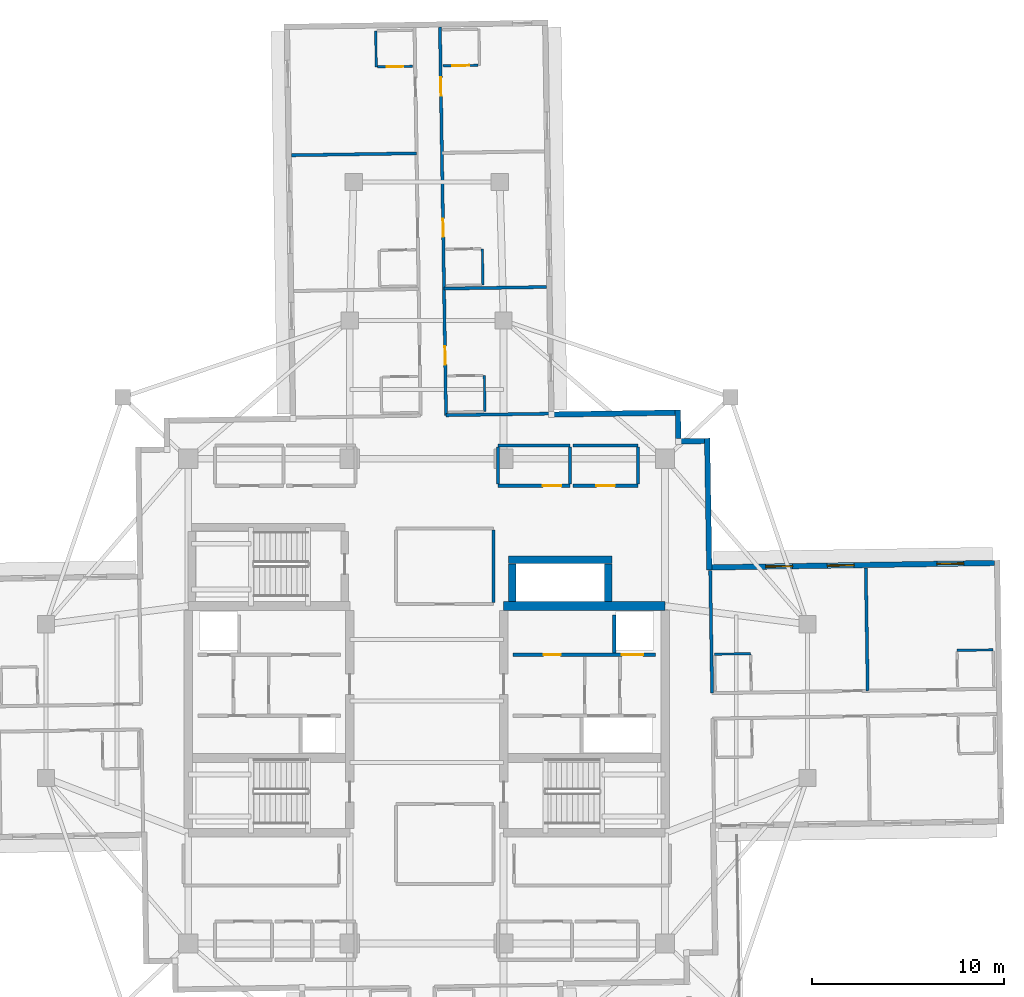
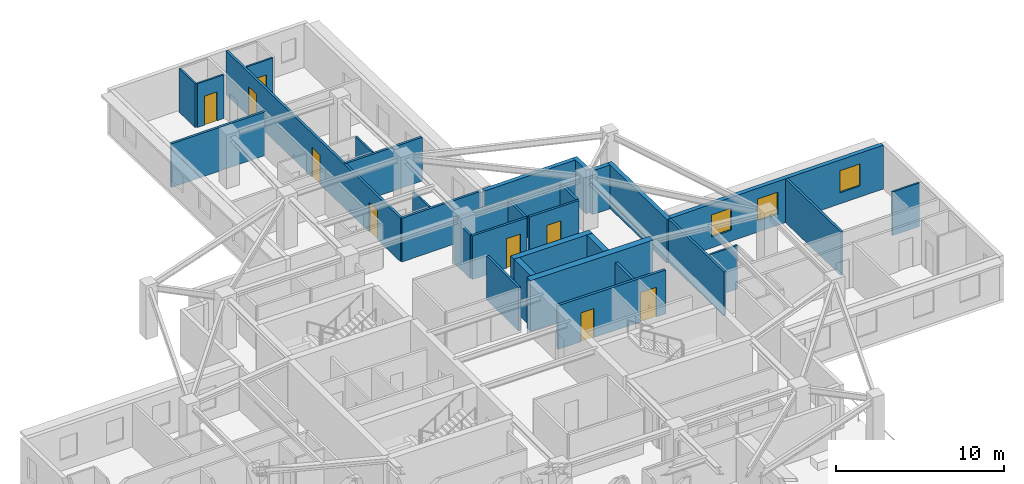
# One storey, part 8 of 13: 32 walls, 9 doors, 3 windows, 12 openings.
"""IFC4 building model written with IfcOpenShell, lengths in metres."""

from ifc_helpers import new_model, si_unit, direction, frame, frame_2d, origin, place, context, subcontext, project, spatial, rectangle, extrude, material, layer, layer_set, type_object, element, fill, save


model = new_model("IFC4")

# Units and contexts
model_context = context("Model", 3, precision=1e-05, world=origin(), true_north=direction((0.0, 1.0)))
body_context = subcontext(model_context, "Body", "Model", "MODEL_VIEW")
ifc_project = project(units=[si_unit("LENGTHUNIT", "METRE"), si_unit("AREAUNIT", "SQUARE_METRE"), si_unit("VOLUMEUNIT", "CUBIC_METRE"), si_unit("PLANEANGLEUNIT", "RADIAN"), si_unit("MASSUNIT", "GRAM", prefix="KILO")], contexts=[model_context])

# Site, building, storey
site_placement = place(None, origin())
site = spatial("IfcSite", under=ifc_project, at=site_placement, CompositionType="ELEMENT")
building_placement = place(site_placement, origin())
building = spatial("IfcBuilding", under=site, at=building_placement, Name="Qingluan Cross Belvedere", CompositionType="ELEMENT")
storey_placement = place(building_placement, frame((0.0, 0.0, 220.800048828125)))
storey = spatial("IfcBuildingStorey", under=building, at=storey_placement, Name="L55", CompositionType="ELEMENT", Elevation=220.800048828125)

# Walls
ifc_material_1 = material(Name="Concrete C50", Category="concrete")
ifc_layer_1 = layer(ifc_material_1, 0.449951171875, Name="CoreShearWall_450")
ifc_layer_set_1 = layer_set([ifc_layer_1], Name="Concrete C50")
wall_type_1 = type_object("IfcWallType", Name="CoreShearWall_450", PredefinedType="SHEAR", material=ifc_layer_set_1)
wall_1_placement = place(storey_placement, frame((4.0, 4.949951171875, 0.0), z_axis=(0.0, 0.0, 1.0), x_axis=(1.0, 0.0, 0.0)))
element("IfcWall", 1, at=wall_1_placement, inside=storey, type_object=wall_type_1, Name="Split core E shear wall L55-N", PredefinedType="SHEAR", context=body_context, shape_type="SweptSolid", body=[
    extrude(rectangle(XDim=8.39990234375, YDim=0.449951171875, at=frame_2d((4.199951171875, 0.0))), origin(), (0.0, 0.0, 1.0), 3.699951171875),
])
wall_2_placement = place(storey_placement, frame((4.449951171875, 5.179931640625, 0.0), z_axis=(0.0, 0.0, 1.0), x_axis=(0.0, 1.0, 0.0)))
element("IfcWall", 2, at=wall_2_placement, inside=storey, type_object=wall_type_1, Name="Express shuttle core wall L55-W", PredefinedType="SHEAR", context=body_context, shape_type="SweptSolid", body=[
    extrude(rectangle(XDim=1.9599609375, YDim=0.39990234375, at=frame_2d((0.97998046875, 0.0))), origin(), (0.0, 0.0, 1.0), 3.699951171875),
])
wall_3_placement = place(storey_placement, frame((4.25, 7.35009765625, 0.0), z_axis=(0.0, 0.0, 1.0), x_axis=(1.0, 0.0, 0.0)))
element("IfcWall", 3, at=wall_3_placement, inside=storey, type_object=wall_type_1, Name="Express shuttle core wall L55-N", PredefinedType="SHEAR", context=body_context, shape_type="SweptSolid", body=[
    extrude(rectangle(XDim=5.39990234375, YDim=0.39990234375, at=frame_2d((2.699951171875, 0.0))), origin(), (0.0, 0.0, 1.0), 3.699951171875),
])
wall_4_placement = place(storey_placement, frame((9.449951171875, 5.179931640625, 0.0), z_axis=(0.0, 0.0, 1.0), x_axis=(0.0, 1.0, 0.0)))
element("IfcWall", 4, at=wall_4_placement, inside=storey, type_object=wall_type_1, Name="Express shuttle core wall L55-E", PredefinedType="SHEAR", context=body_context, shape_type="SweptSolid", body=[
    extrude(rectangle(XDim=1.9599609375, YDim=0.39990234375, at=frame_2d((0.97998046875, 0.0))), origin(), (0.0, 0.0, 1.0), 3.699951171875),
])

# Wall, opening, door
ifc_material_2 = material(Name="Gypsum plasterboard on steel stud acoustic partition", Category="steel")
ifc_layer_2 = layer(ifc_material_2, 0.159912109375, Name="CorridorPartition_160")
ifc_layer_set_2 = layer_set([ifc_layer_2], Name="Gypsum plasterboard on steel stud acoustic partition")
wall_type_2 = type_object("IfcWallType", Name="CorridorPartition_160", PredefinedType="PARTITIONING", material=ifc_layer_set_2)
wall_5_placement = place(storey_placement, frame((3.699951171875, 11.199951171875, 0.0), z_axis=(0.0, 0.0, 1.0), x_axis=(1.0, 0.0, 0.0)))
wall_5 = element("IfcWall", 5, at=wall_5_placement, inside=storey, type_object=wall_type_2, Name="Partition L55:q_ne1:S", PredefinedType="PARTITIONING", context=body_context, shape_type="SweptSolid", body=[
    extrude(rectangle(XDim=3.75, YDim=0.159912109375, at=frame_2d((1.875, 0.0))), origin(), (0.0, 0.0, 1.0), 3.169921875),
])
opening_1_placement = place(wall_5_placement, frame((2.344970703125, 0.0, 0.0)))
opening_1 = element("IfcOpeningElement", 6, at=opening_1_placement, cuts=wall_5, Name="Opening GD-10", PredefinedType="OPENING", context=body_context, shape_type="SweptSolid", body=[
    extrude(rectangle(XDim=0.9599609375, YDim=2.14990234375, at=frame_2d((0.47998046875, 1.074951171875))), frame((0.0, 0.08984375, 0.0), z_axis=(0.0, -1.0, 0.0), x_axis=(1.0, 0.0, 0.0)), (0.0, 0.0, 1.0), 0.179931640625),
])
ifc_material_3 = material(Name="Timber oak fire-rated acoustic guestroom door", Category="wood")
door_type_1 = type_object("IfcDoorType", Name="GuestEntryDoor_FD60", OperationType="NOTDEFINED", PredefinedType="DOOR", material=ifc_material_3)
door_1_placement = place(opening_1_placement, origin())
door_1 = element("IfcDoor", 7, at=door_1_placement, inside=storey, type_object=door_type_1, Name="Sky yoga pavilion L55 door", OperationType="SINGLE_SWING_RIGHT", OverallHeight=2.14990234375, OverallWidth=0.9599609375, PredefinedType="DOOR", context=body_context, shape_type="SweptSolid", body=[
    extrude(rectangle(XDim=0.9599609375, YDim=2.14990234375, at=frame_2d((0.47998046875, 1.074951171875))), frame((0.0, 0.02490234375, 0.0), z_axis=(0.0, -1.0, 0.0), x_axis=(1.0, 0.0, 0.0)), (0.0, 0.0, 1.0), 0.050048828125),
])
fill(opening_1, door_1)

# Walls
wall_6_placement = place(storey_placement, frame((3.699951171875, 13.300048828125, 0.0), z_axis=(0.0, 0.0, 1.0), x_axis=(1.0, 0.0, 0.0)))
element("IfcWall", 8, at=wall_6_placement, inside=storey, type_object=wall_type_2, Name="Partition L55:q_ne1:N", PredefinedType="PARTITIONING", context=body_context, shape_type="SweptSolid", body=[
    extrude(rectangle(XDim=3.75, YDim=0.159912109375, at=frame_2d((1.875, 0.0))), origin(), (0.0, 0.0, 1.0), 3.169921875),
])
for number, where, z_axis, x_axis, name in (
    (9, (3.699951171875, 11.284912109375, 0.0), (0.0, 0.0, 1.0), (0.0, 1.0, 0.0), "Partition L55:q_ne1:W"),
    (10, (7.449951171875, 11.284912109375, 0.0), (0.0, 0.0, 1.0), (0.0, 1.0, 0.0), "Partition L55:q_ne1:E"),
):
    element("IfcWall", number, at=place(storey_placement, frame(where, z_axis=z_axis, x_axis=x_axis)), inside=storey, type_object=wall_type_2, Name=name, PredefinedType="PARTITIONING", context=body_context, shape_type="SweptSolid", body=[
        extrude(rectangle(XDim=1.93017578125, YDim=0.159912109375, at=frame_2d((0.965087890625, 0.0))), origin(), (0.0, 0.0, 1.0), 3.169921875),
    ])

# Wall, opening, door
wall_7_placement = place(storey_placement, frame((7.610107421875, 11.199951171875, 0.0), z_axis=(0.0, 0.0, 1.0), x_axis=(1.0, 0.0, 0.0)))
wall_7 = element("IfcWall", 11, at=wall_7_placement, inside=storey, type_object=wall_type_2, Name="Partition L55:q_ne2:S", PredefinedType="PARTITIONING", context=body_context, shape_type="SweptSolid", body=[
    extrude(rectangle(XDim=3.389892578125, YDim=0.159912109375, at=frame_2d((1.69482421875, 0.0))), origin(), (0.0, 0.0, 1.0), 3.169921875),
])
opening_2_placement = place(wall_7_placement, frame((1.215087890625, 0.0, 0.0)))
opening_2 = element("IfcOpeningElement", 12, at=opening_2_placement, cuts=wall_7, Name="Opening GD-10", PredefinedType="OPENING", context=body_context, shape_type="SweptSolid", body=[
    extrude(rectangle(XDim=0.9599609375, YDim=2.14990234375, at=frame_2d((0.47998046875, 1.074951171875))), frame((0.0, 0.08984375, 0.0), z_axis=(0.0, -1.0, 0.0), x_axis=(1.0, 0.0, 0.0)), (0.0, 0.0, 1.0), 0.179931640625),
])
door_2_placement = place(opening_2_placement, origin())
door_2 = element("IfcDoor", 13, at=door_2_placement, inside=storey, type_object=door_type_1, Name="Northeast tea salon L55 door", OperationType="SINGLE_SWING_LEFT", OverallHeight=2.14990234375, OverallWidth=0.9599609375, PredefinedType="DOOR", context=body_context, shape_type="SweptSolid", body=[
    extrude(rectangle(XDim=0.9599609375, YDim=2.14990234375, at=frame_2d((0.47998046875, 1.074951171875))), frame((0.0, 0.02490234375, 0.0), z_axis=(0.0, -1.0, 0.0), x_axis=(1.0, 0.0, 0.0)), (0.0, 0.0, 1.0), 0.050048828125),
])
fill(opening_2, door_2)

# Walls
wall_8_placement = place(storey_placement, frame((7.610107421875, 13.300048828125, 0.0), z_axis=(0.0, 0.0, 1.0), x_axis=(1.0, 0.0, 0.0)))
element("IfcWall", 14, at=wall_8_placement, inside=storey, type_object=wall_type_2, Name="Partition L55:q_ne2:N", PredefinedType="PARTITIONING", context=body_context, shape_type="SweptSolid", body=[
    extrude(rectangle(XDim=3.389892578125, YDim=0.159912109375, at=frame_2d((1.69482421875, 0.0))), origin(), (0.0, 0.0, 1.0), 3.169921875),
])
wall_9_placement = place(storey_placement, frame((11.0, 11.284912109375, 0.0), z_axis=(0.0, 0.0, 1.0), x_axis=(0.0, 1.0, 0.0)))
element("IfcWall", 15, at=wall_9_placement, inside=storey, type_object=wall_type_2, Name="Partition L55:q_ne2:E", PredefinedType="PARTITIONING", context=body_context, shape_type="SweptSolid", body=[
    extrude(rectangle(XDim=1.93017578125, YDim=0.159912109375, at=frame_2d((0.965087890625, 0.0))), origin(), (0.0, 0.0, 1.0), 3.169921875),
])
wall_10_placement = place(storey_placement, frame((3.47998046875, 5.135009765625, 0.0), z_axis=(0.0, 0.0, 1.0), x_axis=(0.0, 1.0, 0.0)))
element("IfcWall", 16, at=wall_10_placement, inside=storey, type_object=wall_type_2, Name="Partition L55:sky_tea_alcove:E", PredefinedType="PARTITIONING", context=body_context, shape_type="SweptSolid", body=[
    extrude(rectangle(XDim=3.760009765625, YDim=0.159912109375, at=frame_2d((1.8798828125, 0.0))), origin(), (0.0, 0.0, 1.0), 3.169921875),
])
wall_11_placement = place(storey_placement, frame((14.84521484375, 0.4130859375, 0.0), z_axis=(0.0, 0.0, 1.0), x_axis=(-0.015697672111, 0.999876783954, 0.0)))
element("IfcWall", 17, at=wall_11_placement, inside=storey, type_object=wall_type_2, Name="Partition L55:E:s0", PredefinedType="PARTITIONING", context=body_context, shape_type="SweptSolid", body=[
    extrude(rectangle(XDim=6.39208984375, YDim=0.159912109375, at=frame_2d((3.196044921875, 0.0))), origin(), (0.0, 0.0, 1.0), 3.169921875),
])
wall_12_placement = place(storey_placement, frame((22.936279296875, 0.540283203125, 0.0), z_axis=(0.0, 0.0, 1.0), x_axis=(-0.015698271615, 0.999876774542, 0.0)))
element("IfcWall", 18, at=wall_12_placement, inside=storey, type_object=wall_type_2, Name="Partition L55:E:d0_0", PredefinedType="PARTITIONING", context=body_context, shape_type="SweptSolid", body=[
    extrude(rectangle(XDim=6.391845703125, YDim=0.159912109375, at=frame_2d((3.19580078125, 0.0))), origin(), (0.0, 0.0, 1.0), 3.169921875),
])

# Wall, openings, doors
wall_13_placement = place(storey_placement, frame((1.006591796875, 14.86767578125, 0.0), z_axis=(0.0, 0.0, 1.0), x_axis=(-0.015701893165, 0.999876717676, 0.0)))
wall_13 = element("IfcWall", 19, at=wall_13_placement, inside=storey, type_object=wall_type_2, Name="Partition L55:N:c0", PredefinedType="PARTITIONING", context=body_context, shape_type="SweptSolid", body=[
    extrude(rectangle(XDim=20.181884765625, YDim=0.159912109375, at=frame_2d((10.0908203125, 0.0))), origin(), (0.0, 0.0, 1.0), 3.169921875),
])
opening_3_placement = place(wall_13_placement, frame((2.638916015625, 0.0, 0.0)))
opening_3 = element("IfcOpeningElement", 20, at=opening_3_placement, cuts=wall_13, Name="Opening GD-10", PredefinedType="OPENING", context=body_context, shape_type="SweptSolid", body=[
    extrude(rectangle(XDim=0.9599609375, YDim=2.14990234375, at=frame_2d((0.47998046875, 1.074951171875))), frame((0.0, 0.08984375, 0.0), z_axis=(0.0, -1.0, 0.0), x_axis=(1.0, 0.0, 0.0)), (0.0, 0.0, 1.0), 0.179931640625),
])
opening_4_placement = place(wall_13_placement, frame((9.27294921875, 0.0, 0.0)))
opening_4 = element("IfcOpeningElement", 21, at=opening_4_placement, cuts=wall_13, Name="Opening GD-10", PredefinedType="OPENING", context=body_context, shape_type="SweptSolid", body=[
    extrude(rectangle(XDim=0.9599609375, YDim=2.14990234375, at=frame_2d((0.47998046875, 1.074951171875))), frame((0.0, 0.08984375, 0.0), z_axis=(0.0, -1.0, 0.0), x_axis=(1.0, 0.0, 0.0)), (0.0, 0.0, 1.0), 0.179931640625),
])
opening_5_placement = place(wall_13_placement, frame((16.614013671875, 0.0, 0.0)))
opening_5 = element("IfcOpeningElement", 22, at=opening_5_placement, cuts=wall_13, Name="Opening GD-10", PredefinedType="OPENING", context=body_context, shape_type="SweptSolid", body=[
    extrude(rectangle(XDim=0.9599609375, YDim=2.14990234375, at=frame_2d((0.47998046875, 1.074951171875))), frame((0.0, 0.08984375, 0.0), z_axis=(0.0, -1.0, 0.0), x_axis=(1.0, 0.0, 0.0)), (0.0, 0.0, 1.0), 0.179931640625),
])
door_3_placement = place(opening_3_placement, origin())
door_3 = element("IfcDoor", 23, at=door_3_placement, inside=storey, type_object=door_type_1, Name="Guest entry fire door 5509", OperationType="SINGLE_SWING_LEFT", OverallHeight=2.14990234375, OverallWidth=0.9599609375, PredefinedType="DOOR", context=body_context, shape_type="SweptSolid", body=[
    extrude(rectangle(XDim=0.9599609375, YDim=2.14990234375, at=frame_2d((0.47998046875, 1.074951171875))), frame((0.0, 0.02490234375, 0.0), z_axis=(0.0, -1.0, 0.0), x_axis=(1.0, 0.0, 0.0)), (0.0, 0.0, 1.0), 0.050048828125),
])
fill(opening_3, door_3)
door_4_placement = place(opening_4_placement, origin())
door_4 = element("IfcDoor", 24, at=door_4_placement, inside=storey, type_object=door_type_1, Name="Guest entry fire door 5510", OperationType="SINGLE_SWING_LEFT", OverallHeight=2.14990234375, OverallWidth=0.9599609375, PredefinedType="DOOR", context=body_context, shape_type="SweptSolid", body=[
    extrude(rectangle(XDim=0.9599609375, YDim=2.14990234375, at=frame_2d((0.47998046875, 1.074951171875))), frame((0.0, 0.02490234375, 0.0), z_axis=(0.0, -1.0, 0.0), x_axis=(1.0, 0.0, 0.0)), (0.0, 0.0, 1.0), 0.050048828125),
])
fill(opening_4, door_4)
door_5_placement = place(opening_5_placement, origin())
door_5 = element("IfcDoor", 25, at=door_5_placement, inside=storey, type_object=door_type_1, Name="Guest entry fire door 5511", OperationType="SINGLE_SWING_LEFT", OverallHeight=2.14990234375, OverallWidth=0.9599609375, PredefinedType="DOOR", context=body_context, shape_type="SweptSolid", body=[
    extrude(rectangle(XDim=0.9599609375, YDim=2.14990234375, at=frame_2d((0.47998046875, 1.074951171875))), frame((0.0, 0.02490234375, 0.0), z_axis=(0.0, -1.0, 0.0), x_axis=(1.0, 0.0, 0.0)), (0.0, 0.0, 1.0), 0.050048828125),
])
fill(opening_5, door_5)

# Walls
wall_14_placement = place(storey_placement, frame((1.006591796875, 14.86767578125, 0.0), z_axis=(0.0, 0.0, 1.0), x_axis=(0.999877025973, 0.015682248948, 0.0)))
element("IfcWall", 26, at=wall_14_placement, inside=storey, type_object=wall_type_2, Name="Partition L55:N:s0", PredefinedType="PARTITIONING", context=body_context, shape_type="SweptSolid", body=[
    extrude(rectangle(XDim=5.47998046875, YDim=0.159912109375, at=frame_2d((2.739990234375, 0.0))), origin(), (0.0, 0.0, 1.0), 3.169921875),
])
wall_15_placement = place(storey_placement, frame((0.903076171875, 21.453857421875, 0.0), z_axis=(0.0, 0.0, 1.0), x_axis=(0.999876674701, 0.015704629518, 0.0)))
element("IfcWall", 27, at=wall_15_placement, inside=storey, type_object=wall_type_2, Name="Partition L55:N:d0_0", PredefinedType="PARTITIONING", context=body_context, shape_type="SweptSolid", body=[
    extrude(rectangle(XDim=5.332275390625, YDim=0.159912109375, at=frame_2d((2.666015625, 0.0))), origin(), (0.0, 0.0, 1.0), 3.169921875),
])
wall_16_placement = place(storey_placement, frame((-0.527587890625, 28.490234375, 0.0), z_axis=(0.0, 0.0, 1.0), x_axis=(-0.999876442039, -0.015719435564, 0.0)))
element("IfcWall", 28, at=wall_16_placement, inside=storey, type_object=wall_type_2, Name="Partition L55:N:d1_1", PredefinedType="PARTITIONING", context=body_context, shape_type="SweptSolid", body=[
    extrude(rectangle(XDim=6.491943359375, YDim=0.159912109375, at=frame_2d((3.24609375, 0.0))), origin(), (0.0, 0.0, 1.0), 3.169921875),
])
ifc_material_4 = material(Name="Moisture-resistant gypsum board lining")
ifc_layer_3 = layer(ifc_material_4, 0.1201171875, Name="EnsuiteWetPartition_120")
ifc_layer_set_3 = layer_set([ifc_layer_3], Name="Moisture-resistant gypsum board lining")
wall_type_3 = type_object("IfcWallType", Name="EnsuiteWetPartition_120", PredefinedType="PARTITIONING", material=ifc_layer_set_3)
wall_17_placement = place(storey_placement, frame((14.973388671875, 2.4404296875, 0.0), z_axis=(0.0, 0.0, 1.0), x_axis=(0.999876553475, 0.01571234584, 0.0)))
element("IfcWall", 29, at=wall_17_placement, inside=storey, type_object=wall_type_3, Name="Partition L55:E:bn0_0", PredefinedType="PARTITIONING", context=body_context, shape_type="SweptSolid", body=[
    extrude(rectangle(XDim=1.880126953125, YDim=0.1201171875, at=frame_2d((0.93994140625, 0.0))), origin(), (0.0, 0.0, 1.0), 3.169921875),
])
wall_18_placement = place(storey_placement, frame((27.58203125, 2.638671875, 0.0), z_axis=(0.0, 0.0, 1.0), x_axis=(0.99987652141, 0.015714386166, 0.0)))
element("IfcWall", 30, at=wall_18_placement, inside=storey, type_object=wall_type_3, Name="Partition L55:E:bn0_1", PredefinedType="PARTITIONING", context=body_context, shape_type="SweptSolid", body=[
    extrude(rectangle(XDim=1.8798828125, YDim=0.1201171875, at=frame_2d((0.93994140625, 0.0))), origin(), (0.0, 0.0, 1.0), 3.169921875),
])
for number, where, z_axis, x_axis, name in (
    (31, (3.02880859375, 15.059326171875, 0.0), (0.0, 0.0, 1.0), (-0.01571234584, 0.999876553475, 0.0), "Partition L55:N:bn0_0"),
    (32, (2.92529296875, 21.6455078125, 0.0), (0.0, 0.0, 1.0), (-0.01571234584, 0.999876553475, 0.0), "Partition L55:N:bn0_1"),
):
    element("IfcWall", number, at=place(storey_placement, frame(where, z_axis=z_axis, x_axis=x_axis)), inside=storey, type_object=wall_type_3, Name=name, PredefinedType="PARTITIONING", context=body_context, shape_type="SweptSolid", body=[
        extrude(rectangle(XDim=1.880126953125, YDim=0.1201171875, at=frame_2d((0.93994140625, 0.0))), origin(), (0.0, 0.0, 1.0), 3.169921875),
    ])

# Wall, opening, door
wall_19_placement = place(storey_placement, frame((0.861083984375, 33.03759765625, 0.0), z_axis=(0.0, 0.0, 1.0), x_axis=(0.999876836305, 0.015694337248, 0.0)))
wall_19 = element("IfcWall", 33, at=wall_19_placement, inside=storey, type_object=wall_type_3, Name="Partition L55:N:bs0_2", PredefinedType="PARTITIONING", context=body_context, shape_type="SweptSolid", body=[
    extrude(rectangle(XDim=1.820068359375, YDim=0.1201171875, at=frame_2d((0.91015625, 0.0))), origin(), (0.0, 0.0, 1.0), 3.169921875),
])
opening_6_placement = place(wall_19_placement, frame((0.469970703125, 0.0, 0.0)))
opening_6 = element("IfcOpeningElement", 34, at=opening_6_placement, cuts=wall_19, Name="Opening BD-09", PredefinedType="OPENING", context=body_context, shape_type="SweptSolid", body=[
    extrude(rectangle(XDim=0.8798828125, YDim=2.10009765625, at=frame_2d((0.43994140625, 1.050048828125))), frame((0.0, 0.070068359375, 0.0), z_axis=(0.0, -1.0, 0.0), x_axis=(1.0, 0.0, 0.0)), (0.0, 0.0, 1.0), 0.14013671875),
])
ifc_material_5 = material(Name="Moisture-sealed timber en-suite door", Category="wood")
door_type_2 = type_object("IfcDoorType", Name="BathroomDoor_880", OperationType="NOTDEFINED", PredefinedType="DOOR", material=ifc_material_5)
door_6_placement = place(opening_6_placement, origin())
door_6 = element("IfcDoor", 35, at=door_6_placement, inside=storey, type_object=door_type_2, Name="Bathroom door 5511", OperationType="SINGLE_SWING_RIGHT", OverallHeight=2.10009765625, OverallWidth=0.8798828125, PredefinedType="DOOR", context=body_context, shape_type="SweptSolid", body=[
    extrude(rectangle(XDim=0.8798828125, YDim=2.10009765625, at=frame_2d((0.43994140625, 1.050048828125))), frame((0.0, 0.02490234375, 0.0), z_axis=(0.0, -1.0, 0.0), x_axis=(1.0, 0.0, 0.0)), (0.0, 0.0, 1.0), 0.050048828125),
])
fill(opening_6, door_6)

wall_20_placement = place(storey_placement, frame((-2.558349609375, 32.98388671875, 0.0), z_axis=(0.0, 0.0, 1.0), x_axis=(0.999876836305, 0.015694337248, 0.0)))
wall_20 = element("IfcWall", 36, at=wall_20_placement, inside=storey, type_object=wall_type_3, Name="Partition L55:N:bs1_2", PredefinedType="PARTITIONING", context=body_context, shape_type="SweptSolid", body=[
    extrude(rectangle(XDim=1.820068359375, YDim=0.1201171875, at=frame_2d((0.91015625, 0.0))), origin(), (0.0, 0.0, 1.0), 3.169921875),
])
opening_7_placement = place(wall_20_placement, frame((0.469970703125, 0.0, 0.0)))
opening_7 = element("IfcOpeningElement", 37, at=opening_7_placement, cuts=wall_20, Name="Opening BD-09", PredefinedType="OPENING", context=body_context, shape_type="SweptSolid", body=[
    extrude(rectangle(XDim=0.8798828125, YDim=2.10009765625, at=frame_2d((0.43994140625, 1.050048828125))), frame((0.0, 0.070068359375, 0.0), z_axis=(0.0, -1.0, 0.0), x_axis=(1.0, 0.0, 0.0)), (0.0, 0.0, 1.0), 0.14013671875),
])
door_7_placement = place(opening_7_placement, origin())
door_7 = element("IfcDoor", 38, at=door_7_placement, inside=storey, type_object=door_type_2, Name="Bathroom door 5514", OperationType="SINGLE_SWING_RIGHT", OverallHeight=2.10009765625, OverallWidth=0.8798828125, PredefinedType="DOOR", context=body_context, shape_type="SweptSolid", body=[
    extrude(rectangle(XDim=0.8798828125, YDim=2.10009765625, at=frame_2d((0.43994140625, 1.050048828125))), frame((0.0, 0.02490234375, 0.0), z_axis=(0.0, -1.0, 0.0), x_axis=(1.0, 0.0, 0.0)), (0.0, 0.0, 1.0), 0.050048828125),
])
fill(opening_7, door_7)

# Wall
wall_21_placement = place(storey_placement, frame((-2.623291015625, 32.98291015625, 0.0), z_axis=(0.0, 0.0, 1.0), x_axis=(-0.015714386166, 0.99987652141, 0.0)))
element("IfcWall", 39, at=wall_21_placement, inside=storey, type_object=wall_type_3, Name="Partition L55:N:bc1_2", PredefinedType="PARTITIONING", context=body_context, shape_type="SweptSolid", body=[
    extrude(rectangle(XDim=1.8798828125, YDim=0.1201171875, at=frame_2d((0.93994140625, 0.0))), origin(), (0.0, 0.0, 1.0), 3.169921875),
])

# Wall, openings, windows
ifc_material_6 = material(Name="Precast concrete C45", Category="concrete")
ifc_layer_4 = layer(ifc_material_6, 0.280029296875, Name="PrecastFacadeWall_280")
ifc_layer_set_4 = layer_set([ifc_layer_4], Name="Precast concrete C45")
wall_type_4 = type_object("IfcWallType", Name="PrecastFacadeWall_280", PredefinedType="STANDARD", material=ifc_layer_set_4)
wall_22_placement = place(storey_placement, frame((29.53076171875, 7.184814453125, 0.0), z_axis=(0.0, 0.0, 1.0), x_axis=(-0.999876569875, -0.015711302158, 0.0)))
wall_22 = element("IfcWall", 40, at=wall_22_placement, inside=storey, type_object=wall_type_4, Name="Facade wall L55-EB", PredefinedType="STANDARD", context=body_context, shape_type="SweptSolid", body=[
    extrude(rectangle(XDim=14.699951171875, YDim=0.280029296875, at=frame_2d((7.35009765625, 0.0))), origin(), (0.0, 0.0, 1.0), 3.179931640625),
])
opening_8_placement = place(wall_22_placement, frame((1.60009765625, 0.0, 0.800048828125)))
opening_8 = element("IfcOpeningElement", 41, at=opening_8_placement, cuts=wall_22, Name="Opening W-01", PredefinedType="OPENING", context=body_context, shape_type="SweptSolid", body=[
    extrude(rectangle(XDim=1.39990234375, YDim=1.60009765625, at=frame_2d((0.699951171875, 0.800048828125))), frame((0.0, 0.14990234375, 0.0), z_axis=(0.0, -1.0, 0.0), x_axis=(1.0, 0.0, 0.0)), (0.0, 0.0, 1.0), 0.300048828125),
])
opening_9_placement = place(wall_22_placement, frame((7.300048828125, 0.0, 0.800048828125)))
opening_9 = element("IfcOpeningElement", 42, at=opening_9_placement, cuts=wall_22, Name="Opening W-01", PredefinedType="OPENING", context=body_context, shape_type="SweptSolid", body=[
    extrude(rectangle(XDim=1.39990234375, YDim=1.60009765625, at=frame_2d((0.699951171875, 0.800048828125))), frame((0.0, 0.14990234375, 0.0), z_axis=(0.0, -1.0, 0.0), x_axis=(1.0, 0.0, 0.0)), (0.0, 0.0, 1.0), 0.300048828125),
])
opening_10_placement = place(wall_22_placement, frame((10.5, 0.0, 0.800048828125)))
opening_10 = element("IfcOpeningElement", 43, at=opening_10_placement, cuts=wall_22, Name="Opening W-01", PredefinedType="OPENING", context=body_context, shape_type="SweptSolid", body=[
    extrude(rectangle(XDim=1.39990234375, YDim=1.60009765625, at=frame_2d((0.699951171875, 0.800048828125))), frame((0.0, 0.14990234375, 0.0), z_axis=(0.0, -1.0, 0.0), x_axis=(1.0, 0.0, 0.0)), (0.0, 0.0, 1.0), 0.300048828125),
])
ifc_material_7 = material(Name="Thermally broken triple Low-E glass in aluminium frame", Category="aluminium")
window_type = type_object("IfcWindowType", Name="TriRibbonWin_1400x1600", PartitioningType="SINGLE_PANEL", PredefinedType="WINDOW", material=ifc_material_7)
window_1_placement = place(opening_8_placement, origin())
window_1 = element("IfcWindow", 44, at=window_1_placement, inside=storey, type_object=window_type, Name="Ribbon window L55-EB-1", OverallHeight=1.60009765625, OverallWidth=1.39990234375, PartitioningType="SINGLE_PANEL", PredefinedType="WINDOW", context=body_context, shape_type="SweptSolid", body=[
    extrude(rectangle(XDim=1.39990234375, YDim=1.60009765625, at=frame_2d((0.699951171875, 0.800048828125))), frame((0.0, 0.030029296875, 0.0), z_axis=(0.0, -1.0, 0.0), x_axis=(1.0, 0.0, 0.0)), (0.0, 0.0, 1.0), 0.06005859375),
])
fill(opening_8, window_1)
window_2_placement = place(opening_9_placement, origin())
window_2 = element("IfcWindow", 45, at=window_2_placement, inside=storey, type_object=window_type, Name="Ribbon window L55-EB-2", OverallHeight=1.60009765625, OverallWidth=1.39990234375, PartitioningType="SINGLE_PANEL", PredefinedType="WINDOW", context=body_context, shape_type="SweptSolid", body=[
    extrude(rectangle(XDim=1.39990234375, YDim=1.60009765625, at=frame_2d((0.699951171875, 0.800048828125))), frame((0.0, 0.030029296875, 0.0), z_axis=(0.0, -1.0, 0.0), x_axis=(1.0, 0.0, 0.0)), (0.0, 0.0, 1.0), 0.06005859375),
])
fill(opening_9, window_2)
window_3_placement = place(opening_10_placement, origin())
window_3 = element("IfcWindow", 46, at=window_3_placement, inside=storey, type_object=window_type, Name="Ribbon window L55-EB-3", OverallHeight=1.60009765625, OverallWidth=1.39990234375, PartitioningType="SINGLE_PANEL", PredefinedType="WINDOW", context=body_context, shape_type="SweptSolid", body=[
    extrude(rectangle(XDim=1.39990234375, YDim=1.60009765625, at=frame_2d((0.699951171875, 0.800048828125))), frame((0.0, 0.030029296875, 0.0), z_axis=(0.0, -1.0, 0.0), x_axis=(1.0, 0.0, 0.0)), (0.0, 0.0, 1.0), 0.06005859375),
])
fill(opening_10, window_3)

# Walls
wall_23_placement = place(storey_placement, frame((14.69482421875, 6.811767578125, 0.0), z_axis=(0.0, 0.0, 1.0), x_axis=(-0.015694809807, 0.999876828887, 0.0)))
element("IfcWall", 47, at=wall_23_placement, inside=storey, type_object=wall_type_4, Name="Corner wall L55-NE1", PredefinedType="STANDARD", context=body_context, shape_type="SweptSolid", body=[
    extrude(rectangle(XDim=6.85986328125, YDim=0.280029296875, at=frame_2d((3.429931640625, 0.0))), origin(), (0.0, 0.0, 1.0), 3.179931640625),
])
wall_24_placement = place(storey_placement, frame((14.44921875, 13.528564453125, 0.0), z_axis=(0.0, 0.0, 1.0), x_axis=(-0.999878147354, -0.015610587569, 0.0)))
element("IfcWall", 48, at=wall_24_placement, inside=storey, type_object=wall_type_4, Name="Corner wall L55-NE2", PredefinedType="STANDARD", context=body_context, shape_type="SweptSolid", body=[
    extrude(rectangle(XDim=1.219970703125, YDim=0.280029296875, at=frame_2d((0.60986328125, 0.0))), origin(), (0.0, 0.0, 1.0), 3.179931640625),
])
wall_25_placement = place(storey_placement, frame((13.08740234375, 13.647216796875, 0.0), z_axis=(0.0, 0.0, 1.0), x_axis=(-0.015785793208, 0.999875396603, 0.0)))
element("IfcWall", 49, at=wall_25_placement, inside=storey, type_object=wall_type_4, Name="Corner wall L55-NE3", PredefinedType="STANDARD", context=body_context, shape_type="SweptSolid", body=[
    extrude(rectangle(XDim=1.500244140625, YDim=0.280029296875, at=frame_2d((0.75, 0.0))), origin(), (0.0, 0.0, 1.0), 3.179931640625),
])
wall_26_placement = place(storey_placement, frame((12.92578125, 15.0048828125, 0.0), z_axis=(0.0, 0.0, 1.0), x_axis=(-0.999876823822, -0.015695132501, 0.0)))
element("IfcWall", 50, at=wall_26_placement, inside=storey, type_object=wall_type_4, Name="Corner wall L55-NE4", PredefinedType="STANDARD", context=body_context, shape_type="SweptSolid", body=[
    extrude(rectangle(XDim=6.2998046875, YDim=0.280029296875, at=frame_2d((3.14990234375, 0.0))), origin(), (0.0, 0.0, 1.0), 3.179931640625),
])

# Wall, openings, doors
ifc_material_8 = material(Name="Concrete C40", Category="concrete")
ifc_layer_5 = layer(ifc_material_8, 0.219970703125, Name="ShaftEnclosureWall_250")
ifc_layer_set_5 = layer_set([ifc_layer_5], Name="Concrete C40")
wall_type_5 = type_object("IfcWallType", Name="ShaftEnclosureWall_250", PredefinedType="SOLIDWALL", material=ifc_layer_set_5)
wall_27_placement = place(storey_placement, frame((4.47998046875, 2.409912109375, 0.0), z_axis=(0.0, 0.0, 1.0), x_axis=(1.0, 0.0, 0.0)))
wall_27 = element("IfcWall", 51, at=wall_27_placement, inside=storey, type_object=wall_type_5, Name="Core-E north hoistway wall L55", PredefinedType="SOLIDWALL", context=body_context, shape_type="SweptSolid", body=[
    extrude(rectangle(XDim=7.419921875, YDim=0.179931640625, at=frame_2d((3.7099609375, 0.0))), origin(), (0.0, 0.0, 1.0), 3.169921875),
])
opening_11_placement = place(wall_27_placement, frame((5.669921875, 0.0, 0.0)))
opening_11 = element("IfcOpeningElement", 52, at=opening_11_placement, cuts=wall_27, Name="Opening LD-11", PredefinedType="OPENING", context=body_context, shape_type="SweptSolid", body=[
    extrude(rectangle(XDim=1.10009765625, YDim=2.14990234375, at=frame_2d((0.550048828125, 1.074951171875))), frame((0.0, 0.099853515625, 0.0), z_axis=(0.0, -1.0, 0.0), x_axis=(1.0, 0.0, 0.0)), (0.0, 0.0, 1.0), 0.199951171875),
])
opening_12_placement = place(wall_27_placement, frame((1.60009765625, 0.0, 0.0)))
opening_12 = element("IfcOpeningElement", 53, at=opening_12_placement, cuts=wall_27, Name="Opening FD-B10", PredefinedType="OPENING", context=body_context, shape_type="SweptSolid", body=[
    extrude(rectangle(XDim=0.8798828125, YDim=2.10009765625, at=frame_2d((0.43994140625, 1.050048828125))), frame((0.0, 0.099853515625, 0.0), z_axis=(0.0, -1.0, 0.0), x_axis=(1.0, 0.0, 0.0)), (0.0, 0.0, 1.0), 0.199951171875),
])
ifc_material_9 = material(Name="Brushed stainless steel centre-opening lift landing door", Category="steel")
door_type_3 = type_object("IfcDoorType", Name="LiftLandingSlidingDoor_1100", OperationType="DOUBLE_DOOR_SLIDING", PredefinedType="DOOR", material=ifc_material_9)
door_8_placement = place(opening_11_placement, origin())
door_8 = element("IfcDoor", 54, at=door_8_placement, inside=storey, type_object=door_type_3, Name="Lift landing sliding door FL2 L55", OperationType="DOUBLE_DOOR_SLIDING", OverallHeight=2.14990234375, OverallWidth=1.10009765625, PredefinedType="DOOR", context=body_context, shape_type="SweptSolid", body=[
    extrude(rectangle(XDim=1.10009765625, YDim=2.14990234375, at=frame_2d((0.550048828125, 1.074951171875))), frame((0.0, 0.02490234375, 0.0), z_axis=(0.0, -1.0, 0.0), x_axis=(1.0, 0.0, 0.0)), (0.0, 0.0, 1.0), 0.050048828125),
])
fill(opening_11, door_8)
ifc_material_10 = material(Name="Steel Class B service fire door", Category="steel")
door_type_4 = type_object("IfcDoorType", Name="RiserServiceFireDoor_FDB", OperationType="NOTDEFINED", PredefinedType="DOOR", material=ifc_material_10)
door_9_placement = place(opening_12_placement, origin())
door_9 = element("IfcDoor", 55, at=door_9_placement, inside=storey, type_object=door_type_4, Name="Pantry room door E L55", OperationType="SINGLE_SWING_LEFT", OverallHeight=2.10009765625, OverallWidth=0.8798828125, PredefinedType="DOOR", context=body_context, shape_type="SweptSolid", body=[
    extrude(rectangle(XDim=0.8798828125, YDim=2.10009765625, at=frame_2d((0.43994140625, 1.050048828125))), frame((0.0, 0.02490234375, 0.0), z_axis=(0.0, -1.0, 0.0), x_axis=(1.0, 0.0, 0.0)), (0.0, 0.0, 1.0), 0.050048828125),
])
fill(opening_12, door_9)

# Wall
wall_28_placement = place(storey_placement, frame((9.760009765625, 2.5, 0.0), z_axis=(0.0, 0.0, 1.0), x_axis=(0.0, 1.0, 0.0)))
element("IfcWall", 56, at=wall_28_placement, inside=storey, type_object=wall_type_5, Name="Hoistway enclosure divider FL2W L55", PredefinedType="SOLIDWALL", context=body_context, shape_type="SweptSolid", body=[
    extrude(rectangle(XDim=1.989990234375, YDim=0.179931640625, at=frame_2d((0.9951171875, 0.0))), origin(), (0.0, 0.0, 1.0), 3.169921875),
])

save(model, "model.ifc")
